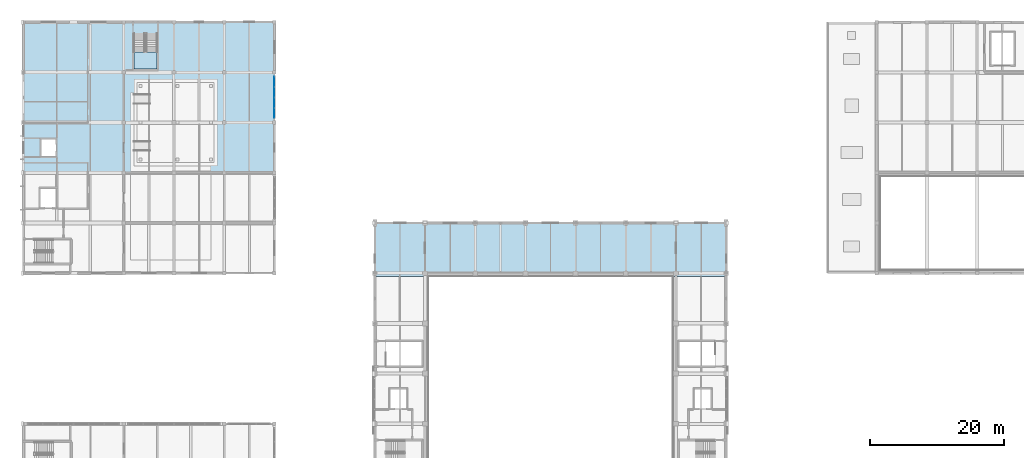
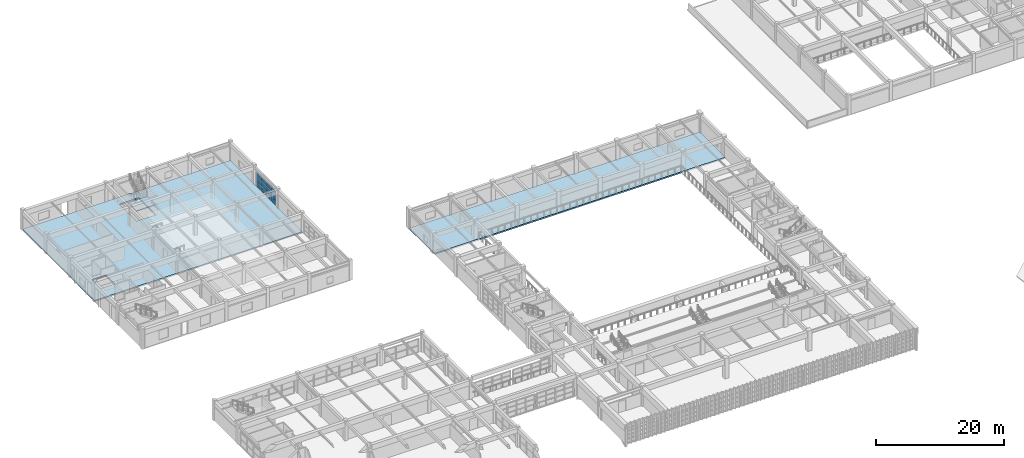
# One storey, part 67 of 101: 12 plates, 3 slabs, 2 elements without a shape of their own.
"""IFC4 building model written with IfcOpenShell, lengths in metres."""

from ifc_helpers import new_model, si_unit, direction, frame, origin, origin_2d, place, context, subcontext, project, spatial, polyline, rectangle, outline, extrude, material, layer, layer_set, type_object, element, aggregate, save


model = new_model("IFC4")

# Units and contexts
model_context = context("Model", 3, precision=1e-05, world=origin(), true_north=direction((0.0, 1.0)))
body_context = subcontext(model_context, "Body", "Model", "MODEL_VIEW")
ifc_project = project(units=[si_unit("LENGTHUNIT", "METRE"), si_unit("AREAUNIT", "SQUARE_METRE"), si_unit("VOLUMEUNIT", "CUBIC_METRE"), si_unit("PLANEANGLEUNIT", "RADIAN"), si_unit("MASSUNIT", "GRAM", prefix="KILO")], contexts=[model_context])

# Site, building, storey
site_placement = place(None, origin())
site = spatial("IfcSite", under=ifc_project, at=site_placement, CompositionType="ELEMENT")
building_placement = place(site_placement, origin())
building = spatial("IfcBuilding", under=site, at=building_placement, Name="Qasida Concert Hall", CompositionType="ELEMENT")
storey_placement = place(building_placement, frame((0.0, 0.0, 13.199951171875)))
storey = spatial("IfcBuildingStorey", under=building, at=storey_placement, Name="L03", CompositionType="ELEMENT", Elevation=13.199951171875)

# Curtain wall, plates
ifc_material_1 = material(Name="Architectural bronze-anodized aluminium and low-E glass", Category="aluminium")
curtain_wall_type = type_object("IfcCurtainWallType", Name="CW-08", PredefinedType="NOTDEFINED", material=ifc_material_1)
curtain_wall_placement = place(storey_placement, origin())
curtain_wall = element("IfcCurtainWall", 1, at=curtain_wall_placement, inside=storey, type_object=curtain_wall_type, Name="L03 curtain wall CW-08 0193", PredefinedType="NOTDEFINED")
ifc_material_2 = material(Name="Solar-control low-E double glazing", Category="glass")
ifc_layer_1 = layer(ifc_material_2, 0.02392578125, Name="Solar-control low-E double glazing")
ifc_layer_set_1 = layer_set([ifc_layer_1], Name="Solar-control low-E double glazing")
plate_type = type_object("IfcPlateType", Name="PLT-CWP-5", PredefinedType="CURTAIN_PANEL", material=ifc_layer_set_1)
plate_1_placement = place(storey_placement, frame((37.5, 98.918701171875, 0.06005859375), z_axis=(0.0, 0.0, 1.0), x_axis=(0.0, 1.0, 0.0)))
plate_1 = element("IfcPlate", 2, at=plate_1_placement, type_object=plate_type, Name="CW-08 panel 1.1", PredefinedType="CURTAIN_PANEL", context=body_context, shape_type="SweptSolid", body=[
    extrude(rectangle(XDim=1.467529296875, YDim=0.02392578125, at=origin_2d()), origin(), (0.0, 0.0, 1.0), 0.8232421875),
])
plate_2_placement = place(storey_placement, frame((37.5, 98.918701171875, 0.943359375), z_axis=(0.0, 0.0, 1.0), x_axis=(0.0, 1.0, 0.0)))
plate_2 = element("IfcPlate", 3, at=plate_2_placement, type_object=plate_type, Name="CW-08 panel 1.2", PredefinedType="CURTAIN_PANEL", context=body_context, shape_type="SweptSolid", body=[
    extrude(rectangle(XDim=1.467529296875, YDim=0.02392578125, at=origin_2d()), origin(), (0.0, 0.0, 1.0), 0.853515625),
])
plate_3_placement = place(storey_placement, frame((37.5, 98.918701171875, 1.856689453125), z_axis=(0.0, 0.0, 1.0), x_axis=(0.0, 1.0, 0.0)))
plate_3 = element("IfcPlate", 4, at=plate_3_placement, type_object=plate_type, Name="CW-08 panel 1.3", PredefinedType="CURTAIN_PANEL", context=body_context, shape_type="SweptSolid", body=[
    extrude(rectangle(XDim=1.467529296875, YDim=0.02392578125, at=origin_2d()), origin(), (0.0, 0.0, 1.0), 0.8232421875),
])
plate_4_placement = place(storey_placement, frame((37.5, 100.467529296875, 0.06005859375), z_axis=(0.0, 0.0, 1.0), x_axis=(0.0, 1.0, 0.0)))
plate_4 = element("IfcPlate", 5, at=plate_4_placement, type_object=plate_type, Name="CW-08 panel 2.1", PredefinedType="CURTAIN_PANEL", context=body_context, shape_type="SweptSolid", body=[
    extrude(rectangle(XDim=1.5, YDim=0.02392578125, at=origin_2d()), origin(), (0.0, 0.0, 1.0), 0.8232421875),
])
plate_5_placement = place(storey_placement, frame((37.5, 100.467529296875, 0.943359375), z_axis=(0.0, 0.0, 1.0), x_axis=(0.0, 1.0, 0.0)))
plate_5 = element("IfcPlate", 6, at=plate_5_placement, type_object=plate_type, Name="CW-08 panel 2.2", PredefinedType="CURTAIN_PANEL", context=body_context, shape_type="SweptSolid", body=[
    extrude(rectangle(XDim=1.5, YDim=0.02392578125, at=origin_2d()), origin(), (0.0, 0.0, 1.0), 0.853515625),
])
plate_6_placement = place(storey_placement, frame((37.5, 100.467529296875, 1.856689453125), z_axis=(0.0, 0.0, 1.0), x_axis=(0.0, 1.0, 0.0)))
plate_6 = element("IfcPlate", 7, at=plate_6_placement, type_object=plate_type, Name="CW-08 panel 2.3", PredefinedType="CURTAIN_PANEL", context=body_context, shape_type="SweptSolid", body=[
    extrude(rectangle(XDim=1.5, YDim=0.02392578125, at=origin_2d()), origin(), (0.0, 0.0, 1.0), 0.8232421875),
])
plate_7_placement = place(storey_placement, frame((37.5, 102.032470703125, 0.06005859375), z_axis=(0.0, 0.0, 1.0), x_axis=(0.0, 1.0, 0.0)))
plate_7 = element("IfcPlate", 8, at=plate_7_placement, type_object=plate_type, Name="CW-08 panel 3.1", PredefinedType="CURTAIN_PANEL", context=body_context, shape_type="SweptSolid", body=[
    extrude(rectangle(XDim=1.5, YDim=0.02392578125, at=origin_2d()), origin(), (0.0, 0.0, 1.0), 0.8232421875),
])
plate_8_placement = place(storey_placement, frame((37.5, 102.032470703125, 0.943359375), z_axis=(0.0, 0.0, 1.0), x_axis=(0.0, 1.0, 0.0)))
plate_8 = element("IfcPlate", 9, at=plate_8_placement, type_object=plate_type, Name="CW-08 panel 3.2", PredefinedType="CURTAIN_PANEL", context=body_context, shape_type="SweptSolid", body=[
    extrude(rectangle(XDim=1.5, YDim=0.02392578125, at=origin_2d()), origin(), (0.0, 0.0, 1.0), 0.853515625),
])
plate_9_placement = place(storey_placement, frame((37.5, 102.032470703125, 1.856689453125), z_axis=(0.0, 0.0, 1.0), x_axis=(0.0, 1.0, 0.0)))
plate_9 = element("IfcPlate", 10, at=plate_9_placement, type_object=plate_type, Name="CW-08 panel 3.3", PredefinedType="CURTAIN_PANEL", context=body_context, shape_type="SweptSolid", body=[
    extrude(rectangle(XDim=1.5, YDim=0.02392578125, at=origin_2d()), origin(), (0.0, 0.0, 1.0), 0.8232421875),
])
plate_10_placement = place(storey_placement, frame((37.5, 103.581298828125, 0.06005859375), z_axis=(0.0, 0.0, 1.0), x_axis=(0.0, 1.0, 0.0)))
plate_10 = element("IfcPlate", 11, at=plate_10_placement, type_object=plate_type, Name="CW-08 panel 4.1", PredefinedType="CURTAIN_PANEL", context=body_context, shape_type="SweptSolid", body=[
    extrude(rectangle(XDim=1.467529296875, YDim=0.02392578125, at=origin_2d()), origin(), (0.0, 0.0, 1.0), 0.8232421875),
])
plate_11_placement = place(storey_placement, frame((37.5, 103.581298828125, 0.943359375), z_axis=(0.0, 0.0, 1.0), x_axis=(0.0, 1.0, 0.0)))
plate_11 = element("IfcPlate", 12, at=plate_11_placement, type_object=plate_type, Name="CW-08 panel 4.2", PredefinedType="CURTAIN_PANEL", context=body_context, shape_type="SweptSolid", body=[
    extrude(rectangle(XDim=1.467529296875, YDim=0.02392578125, at=origin_2d()), origin(), (0.0, 0.0, 1.0), 0.853515625),
])
plate_12_placement = place(storey_placement, frame((37.5, 103.581298828125, 1.856689453125), z_axis=(0.0, 0.0, 1.0), x_axis=(0.0, 1.0, 0.0)))
plate_12 = element("IfcPlate", 13, at=plate_12_placement, type_object=plate_type, Name="CW-08 panel 4.3", PredefinedType="CURTAIN_PANEL", context=body_context, shape_type="SweptSolid", body=[
    extrude(rectangle(XDim=1.467529296875, YDim=0.02392578125, at=origin_2d()), origin(), (0.0, 0.0, 1.0), 0.8232421875),
])
aggregate(curtain_wall, [plate_1, plate_2, plate_3, plate_4, plate_5, plate_6, plate_7, plate_8, plate_9, plate_10, plate_11, plate_12])

# Slabs
ifc_material_3 = material(Name="Concrete C40/50", Category="concrete")
ifc_layer_2 = layer(ifc_material_3, 0.260009765625, Name="Concrete C40/50")
ifc_layer_set_2 = layer_set([ifc_layer_2], Name="Concrete C40/50")
slab_type_1 = type_object("IfcSlabType", Name="SL-FS-260", PredefinedType="FLOOR", material=ifc_layer_set_2)
slab_1_placement = place(storey_placement, frame((0.0, 0.0, -0.260009765625)))
element("IfcSlab", 14, at=slab_1_placement, inside=storey, type_object=slab_type_1, Name="V1 broadcast rear gallery (FS-260)", PredefinedType="FLOOR", context=body_context, shape_type="SweptSolid", body=[
    extrude(outline(polyline([(52.5, 74.5), (105.0, 74.5), (105.0, 82.5), (52.5, 82.5), (52.5, 74.5)])), origin(), (0.0, 0.0, 1.0), 0.260009765625),
])
slab_2_placement = place(storey_placement, frame((0.0, 0.0, -0.260009765625)))
element("IfcSlab", 15, at=slab_2_placement, inside=storey, type_object=slab_type_1, Name="V5 recording studio north (FS-260)", PredefinedType="FLOOR", context=body_context, shape_type="SweptSolid", body=[
    extrude(outline(polyline([(0.0, 90.0), (37.5, 90.0), (37.5, 112.5), (0.0, 112.5), (0.0, 90.0)]), holes=[polyline([(2.550048828125, 92.35009765625), (4.949951171875, 92.35009765625), (4.949951171875, 95.14990234375), (2.550048828125, 95.14990234375), (2.550048828125, 92.35009765625)]), polyline([(16.5, 105.47998046875), (20.0, 105.47998046875), (20.0, 110.840087890625), (16.5, 110.840087890625), (16.5, 105.47998046875)])]), origin(), (0.0, 0.0, 1.0), 0.260009765625),
])

# Stair, slab
stair_type = type_object("IfcStairType", Name="ST-DL-165", PredefinedType="HALF_TURN_STAIR", material=ifc_material_3)
stair_placement = place(storey_placement, origin())
stair = element("IfcStair", 16, at=stair_placement, inside=storey, type_object=stair_type, Name="L03 Exit stair ST-06", PredefinedType="HALF_TURN_STAIR")
ifc_layer_3 = layer(ifc_material_3, 0.199951171875, Name="Concrete C40/50")
ifc_layer_set_3 = layer_set([ifc_layer_3], Name="Concrete C40/50")
slab_type_2 = type_object("IfcSlabType", Name="SL-LND-200", PredefinedType="LANDING", material=ifc_layer_set_3)
slab_3_placement = place(storey_placement, frame((0.0, 0.0, 1.75)))
slab_3 = element("IfcSlab", 17, at=slab_3_placement, type_object=slab_type_2, Name="ST-06 landing 1", PredefinedType="LANDING", context=body_context, shape_type="SweptSolid", body=[
    extrude(outline(polyline([(16.5, 108.050048828125), (16.5, 105.47998046875), (20.0, 105.47998046875), (20.0, 108.050048828125), (16.5, 108.050048828125)])), origin(), (0.0, 0.0, 1.0), 0.199951171875),
])
aggregate(stair, [slab_3])

save(model, "model.ifc")
